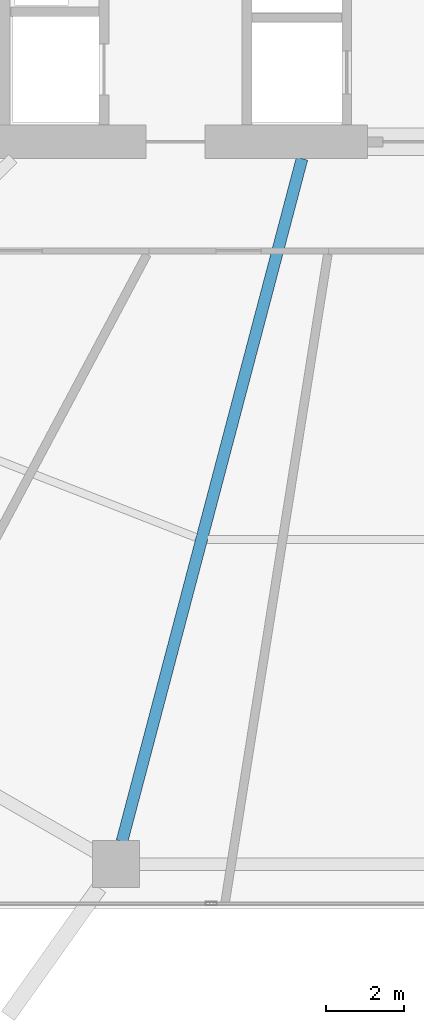
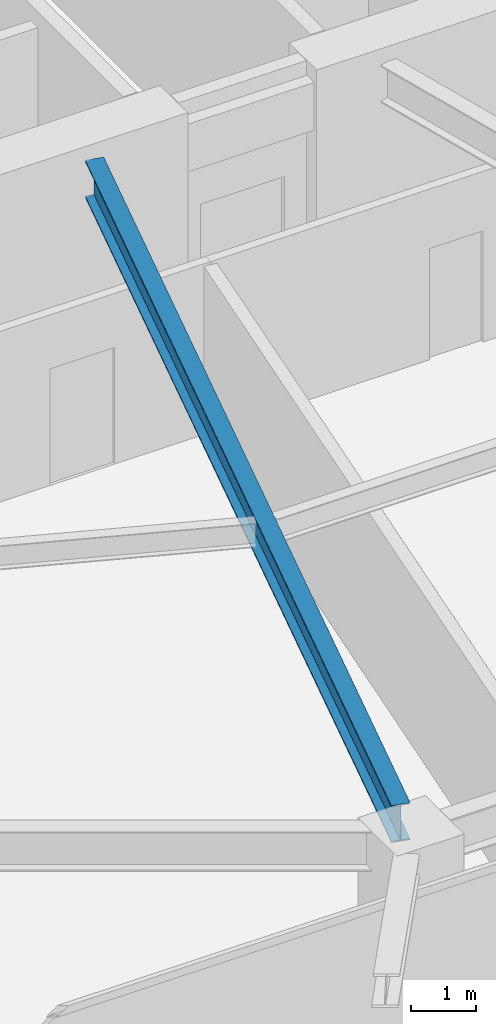
# One storey, part 4 of 25: 1 beam.
"""IFC4 building model written with IfcOpenShell, lengths in metres."""

import ifcopenshell
import ifcopenshell.guid

model = None  # the IFC model being written
_history = None  # IfcOwnerHistory: only IFC2X3 demands one
_inside = {}  # id of a spatial element -> (the spatial element, [elements in it])
_under = {}  # id of a project, library or spatial element -> (it, [spatial elements below it])
_declared = {}  # id of a project -> (the project, [libraries it declares])
_typed = {}  # id of a type object -> (the type object, [elements of that type])
_made_of = {}  # id of a material, layer set ... -> (it, [elements and type objects made of it])


def new_model(schema):
    """Start an empty IFC model of exactly this schema.

    Asked for "IFC4X3", IfcOpenShell would pick the latest addendum, in which some entities
    have other attributes; the version numbers below select the first issue.
    IFC2X3 requires an IfcOwnerHistory on every rooted entity: one is made here for all.
    """
    global model, _history
    if schema == "IFC4X3":
        model = ifcopenshell.file(schema_version=(4, 3, 0, 0))
    else:
        model = ifcopenshell.file(schema=schema)
    _inside.clear()
    _under.clear()
    _declared.clear()
    _typed.clear()
    _made_of.clear()
    _history = None
    if model.schema == "IFC2X3":
        org = make("IfcOrganization", Name="unknown")
        user = make(
            "IfcPersonAndOrganization",
            ThePerson=make("IfcPerson", FamilyName="unknown"),
            TheOrganization=org,
        )
        app = make(
            "IfcApplication",
            ApplicationDeveloper=org,
            Version="unknown",
            ApplicationFullName="unknown",
            ApplicationIdentifier="unknown",
        )
        _history = make(
            "IfcOwnerHistory",
            OwningUser=user,
            OwningApplication=app,
            ChangeAction="ADDED",
            CreationDate=0,
        )
    return model


def make(cls, **values):
    """One entity of the class cls with the attributes given. An attribute that is None is left unset."""
    return model.create_entity(
        cls, **{name: value for name, value in values.items() if value is not None}
    )


def rooted(cls, **values):
    """An entity with a GlobalId (a new one), such as an element, a storey or a relation."""
    return make(cls, GlobalId=ifcopenshell.guid.new(), OwnerHistory=_history, **values)


def si_unit(unit_type, name, prefix=None):
    """IfcSIUnit, for example si_unit("LENGTHUNIT", "METRE", prefix="MILLI")."""
    return make("IfcSIUnit", UnitType=unit_type, Prefix=prefix, Name=name)


def assignment(units):
    """IfcUnitAssignment: the units of a project."""
    return None if units is None else make("IfcUnitAssignment", Units=units)


def point(xyz):
    """IfcCartesianPoint."""
    return None if xyz is None else make("IfcCartesianPoint", Coordinates=xyz)


def direction(xyz):
    """IfcDirection."""
    return None if xyz is None else make("IfcDirection", DirectionRatios=xyz)


def frame(location, z_axis=None, x_axis=None):
    """IfcAxis2Placement3D, a coordinate frame: its origin and axes. An axis left out is left unset."""
    return make(
        "IfcAxis2Placement3D",
        Location=point(location),
        Axis=direction(z_axis),
        RefDirection=direction(x_axis),
    )


def frame_2d(location, x_axis=None):
    """IfcAxis2Placement2D, a coordinate frame in the plane: its origin and x axis."""
    return make(
        "IfcAxis2Placement2D", Location=point(location), RefDirection=direction(x_axis)
    )


def origin():
    """The frame at (0, 0, 0) with its axes left unset."""
    return frame((0.0, 0.0, 0.0))


def origin_2d():
    """The frame at (0, 0) in the plane with its x axis left unset."""
    return frame_2d((0.0, 0.0))


def place(relative_to, where):
    """IfcLocalPlacement: puts the frame where relative to a parent placement (None: the world)."""
    return make(
        "IfcLocalPlacement", PlacementRelTo=relative_to, RelativePlacement=where
    )


def context(
    kind, dimensions, precision=None, world=None, true_north=None, identifier=None
):
    """IfcGeometricRepresentationContext, for example the 3D "Model" context."""
    return make(
        "IfcGeometricRepresentationContext",
        ContextIdentifier=identifier,
        ContextType=kind,
        CoordinateSpaceDimension=dimensions,
        Precision=precision,
        WorldCoordinateSystem=world,
        TrueNorth=true_north,
    )


def subcontext(parent, identifier, kind, view, scale=None):
    """IfcGeometricRepresentationSubContext, for example "Body" below "Model"."""
    return make(
        "IfcGeometricRepresentationSubContext",
        ContextIdentifier=identifier,
        ContextType=kind,
        ParentContext=parent,
        TargetScale=scale,
        TargetView=view,
    )


def project(units=None, contexts=None):
    """IfcProject with its units and contexts."""
    return rooted(
        "IfcProject",
        Name="project",
        RepresentationContexts=contexts,
        UnitsInContext=assignment(units),
    )


def spatial(cls, under=None, at=None, **own):
    """A site, building, storey or space (cls), placed at a placement, below another one or the project."""
    s = rooted(cls, ObjectPlacement=at, **own)
    if under is not None:
        _under.setdefault(under.id(), (under, []))[1].append(s)
    return s


def profile(cls, at=None, kind="AREA", **sizes):
    """A parametric profile (cls). Its sizes go by their IFC names, for example OverallWidth=200.0."""
    return make(cls, ProfileType=kind, Position=at, **sizes)


def i_section(**sizes):
    """IfcIShapeProfileDef."""
    return profile("IfcIShapeProfileDef", **sizes)


def extrude(swept, where, along, depth):
    """IfcExtrudedAreaSolid: the profile swept, set in the frame where, extruded along a direction by depth."""
    return make(
        "IfcExtrudedAreaSolid",
        SweptArea=swept,
        Position=where,
        ExtrudedDirection=direction(along),
        Depth=depth,
    )


def shape(context_of_items, identifier, shape_type, items):
    """IfcShapeRepresentation: the items that make up one representation, for example the "Body"."""
    return make(
        "IfcShapeRepresentation",
        ContextOfItems=context_of_items,
        RepresentationIdentifier=identifier,
        RepresentationType=shape_type,
        Items=items,
    )


def material(Name=None, Category=None):
    """IfcMaterial."""
    return make("IfcMaterial", Name=Name, Category=Category)


def material_profile(
    of_material, cross_section, Name=None, Category=None, Priority=None
):
    """IfcMaterialProfile: a cross section and its material."""
    return make(
        "IfcMaterialProfile",
        Name=Name,
        Material=of_material,
        Profile=cross_section,
        Priority=Priority,
        Category=Category,
    )


def profile_set(profiles, Name=None, composite=None):
    """IfcMaterialProfileSet."""
    return make(
        "IfcMaterialProfileSet",
        Name=Name,
        MaterialProfiles=profiles,
        CompositeProfile=composite,
    )


def made_of(thing, what):
    """Note that an element or type object is made of a material, layer set ...; save() writes the relation."""
    if what is not None:
        _made_of.setdefault(what.id(), (what, []))[1].append(thing)
    return thing


def type_object(cls, material=None, **own):
    """A type object (cls), such as IfcWallType, which elements share."""
    return made_of(rooted(cls, **own), material)


def element(
    cls,
    number,
    at=None,
    inside=None,
    cuts=None,
    type_object=None,
    material=None,
    context=None,
    identifier="Body",
    shape_type=None,
    held_by="IfcProductDefinitionShape",
    body=None,
    shapes=None,
    **own,
):
    """One element of the class cls, such as IfcWall. Its Tag is "e" and its number.

    at: its placement. inside: the storey or other place that contains it. cuts: it is an
    opening in that element (IfcRelVoidsElement). A single representation is given by context,
    identifier, shape_type and body (its items); several are given by shapes. held_by: the class
    of the entity that holds the representations. save() writes the other relations.
    """
    e = rooted(cls, Tag="e%d" % number, ObjectPlacement=at, **own)
    if body is not None:
        shapes = [shape(context, identifier, shape_type, body)]
    if shapes is not None:
        e.Representation = make(held_by, Representations=shapes)
    if inside is not None:
        _inside.setdefault(inside.id(), (inside, []))[1].append(e)
    if cuts is not None:
        rooted(
            "IfcRelVoidsElement", RelatingBuildingElement=cuts, RelatedOpeningElement=e
        )
    if type_object is not None:
        _typed.setdefault(type_object.id(), (type_object, []))[1].append(e)
    return made_of(e, material)


def aggregate(whole, parts):
    """IfcRelAggregates: a whole, such as a stair, and the parts it consists of."""
    return rooted("IfcRelAggregates", RelatingObject=whole, RelatedObjects=parts)


def save(model, path):
    """Write the relations noted so far, then the file.

    IfcRelAggregates (storeys below a building ...), IfcRelContainedInSpatialStructure (elements
    in a storey), IfcRelDefinesByType, IfcRelAssociatesMaterial and IfcRelDeclares: one each for
    every whole, place, type object, material and project.
    """
    for whole, parts in _under.values():
        aggregate(whole, parts)
    for where, things in _inside.values():
        rooted(
            "IfcRelContainedInSpatialStructure",
            RelatedElements=things,
            RelatingStructure=where,
        )
    for kind, things in _typed.values():
        rooted("IfcRelDefinesByType", RelatedObjects=things, RelatingType=kind)
    for what, things in _made_of.values():
        rooted("IfcRelAssociatesMaterial", RelatedObjects=things, RelatingMaterial=what)
    for by, libraries in _declared.values():
        rooted("IfcRelDeclares", RelatingContext=by, RelatedDefinitions=libraries)
    model.write(path)


model = new_model("IFC4")

# Units and contexts
model_context = context("Model", 3, precision=1e-05, world=origin(), true_north=direction((0.0, 1.0)))
body_context = subcontext(model_context, "Body", "Model", "MODEL_VIEW")
ifc_project = project(units=[si_unit("LENGTHUNIT", "METRE"), si_unit("AREAUNIT", "SQUARE_METRE"), si_unit("VOLUMEUNIT", "CUBIC_METRE"), si_unit("PLANEANGLEUNIT", "RADIAN"), si_unit("MASSUNIT", "GRAM", prefix="KILO")], contexts=[model_context])

# Site, building, storey
site_placement = place(None, origin())
site = spatial("IfcSite", under=ifc_project, at=site_placement, CompositionType="ELEMENT")
building_placement = place(site_placement, origin())
building = spatial("IfcBuilding", under=site, at=building_placement, Name="Zuhravey Tower", CompositionType="ELEMENT")
storey_placement = place(building_placement, frame((0.0, 0.0, 37.199951171875)))
storey = spatial("IfcBuildingStorey", under=building, at=storey_placement, Name="L09", CompositionType="ELEMENT", Elevation=37.199951171875)

# Beam
ifc_material = material(Name="Steel SM355", Category="steel")
ifc_material_profile = material_profile(ifc_material, i_section(OverallWidth=0.300048828125, OverallDepth=0.699951171875, WebThickness=0.012939453125, FlangeThickness=0.02392578125, at=origin_2d()), Name="H-700x300x13x24")
ifc_profile_set = profile_set([ifc_material_profile], Name="Steel SM355")
beam_type = type_object("IfcBeamType", Name="Radial Primary Girder H700x300", PredefinedType="BEAM", material=ifc_profile_set)
beam_placement = place(storey_placement, frame((33.382080078125, 22.072021484375, 3.570068359375), z_axis=(-0.254989720435, -0.966943763862, 0.0), x_axis=(0.966943763862, -0.254989720435, 0.0)))
element("IfcBeam", 1, at=beam_placement, inside=storey, type_object=beam_type, Name="L09 RG1 BM-L09-RAD-09", PredefinedType="BEAM", context=body_context, shape_type="SweptSolid", body=[
    extrude(i_section(OverallWidth=0.300048828125, OverallDepth=0.699951171875, WebThickness=0.012939453125, FlangeThickness=0.02392578125, at=origin_2d()), origin(), (0.0, 0.0, 1.0), 18.03369140625),
])

save(model, "model.ifc")
